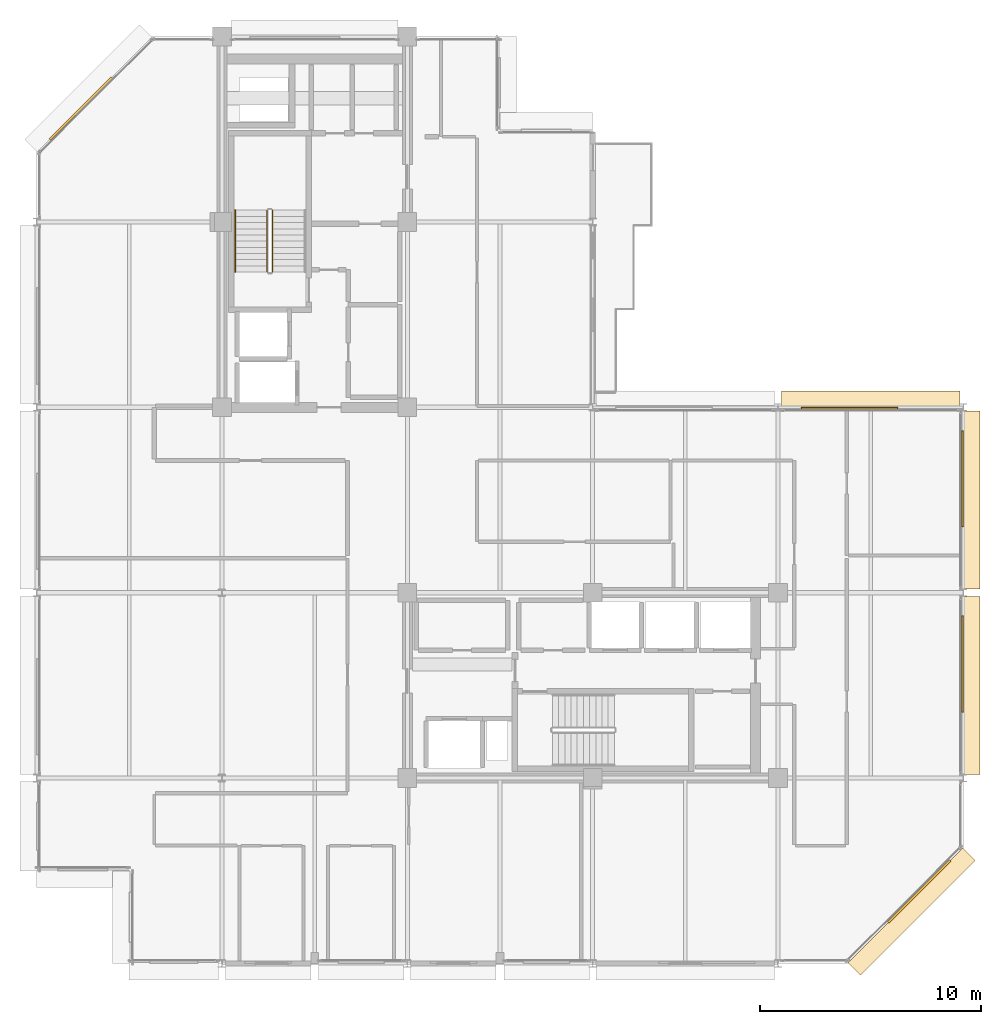
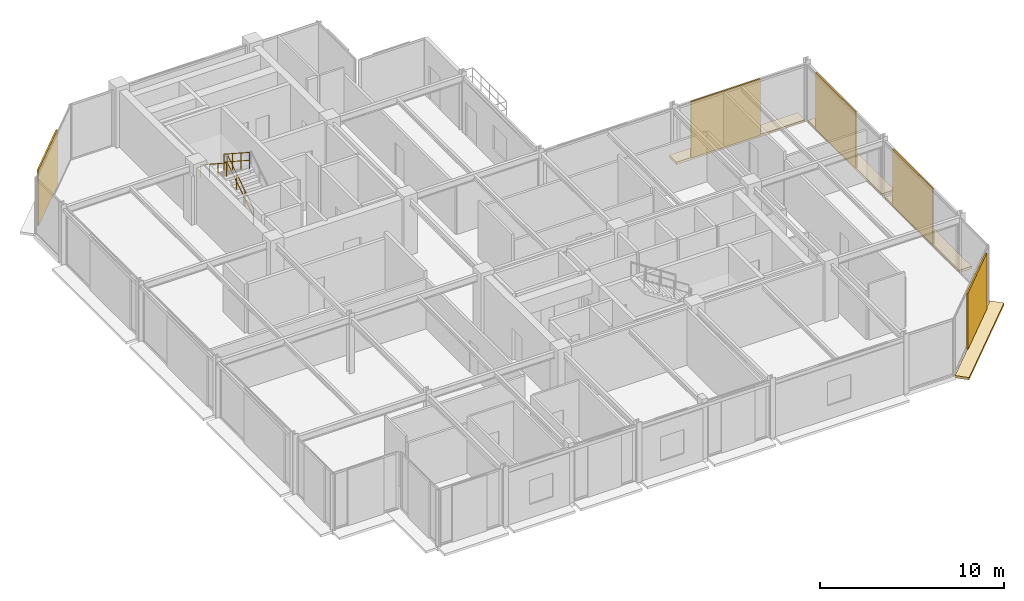
# One storey, part 26 of 27: 9 coverings, 3 railings.
"""IFC4 building model written with IfcOpenShell, lengths in metres."""

from ifc_helpers import new_model, si_unit, direction, frame, origin, origin_2d, place, context, subcontext, project, spatial, polyline, rectangle, circle, outline, extrude, material, layer, layer_set, type_object, element, save


model = new_model("IFC4")

# Units and contexts
model_context = context("Model", 3, precision=1e-05, world=origin(), true_north=direction((0.0, 1.0)))
body_context = subcontext(model_context, "Body", "Model", "MODEL_VIEW")
ifc_project = project(units=[si_unit("LENGTHUNIT", "METRE"), si_unit("AREAUNIT", "SQUARE_METRE"), si_unit("VOLUMEUNIT", "CUBIC_METRE"), si_unit("PLANEANGLEUNIT", "RADIAN"), si_unit("MASSUNIT", "GRAM", prefix="KILO")], contexts=[model_context])

# Site, building, storey
site_placement = place(None, origin())
site = spatial("IfcSite", under=ifc_project, at=site_placement, CompositionType="ELEMENT")
building_placement = place(site_placement, origin())
building = spatial("IfcBuilding", under=site, at=building_placement, Name="Nerrivon Quay Data Exchange", CompositionType="ELEMENT")
storey_placement = place(building_placement, frame((0.0, 0.0, 254.199951171875)))
storey = spatial("IfcBuildingStorey", under=building, at=storey_placement, Name="L60", CompositionType="ELEMENT", Elevation=254.199951171875)

# Coverings
ifc_material_1 = material(Name="Architectural terracotta ceramic", Category="masonry")
ifc_layer_1 = layer(ifc_material_1, 0.159912109375)
ifc_layer_set_1 = layer_set([ifc_layer_1], Name="Architectural terracotta ceramic")
covering_type_1 = type_object("IfcCoveringType", Name="COV-BLD-TERR", PredefinedType="CLADDING", material=ifc_layer_set_1)
covering_1_placement = place(storey_placement, frame((0.0, 0.0, -0.159912109375)))
element("IfcCovering", 1, at=covering_1_placement, inside=storey, type_object=covering_type_1, Name="L60 Horizontal Terracotta SOLAR SCREEN Blade", PredefinedType="CLADDING", context=body_context, shape_type="SweptSolid", body=[
    extrude(outline(polyline([(41.9716796875, 5.228271484375), (36.771728515625, 0.0283203125), (37.330322265625, -0.5302734375), (42.5302734375, 4.669677734375), (41.9716796875, 5.228271484375)])), origin(), (0.0, 0.0, 1.0), 0.159912109375),
])
covering_2_placement = place(storey_placement, frame((0.0, 0.0, -0.159912109375)))
element("IfcCovering", 2, at=covering_2_placement, inside=storey, type_object=covering_type_1, Name="L60 Horizontal Terracotta SOLAR SCREEN Blade", PredefinedType="CLADDING", context=body_context, shape_type="SweptSolid", body=[
    extrude(outline(polyline([(33.755615234375, 25.159912109375), (41.844482421875, 25.159912109375), (41.844482421875, 25.949951171875), (33.755615234375, 25.949951171875), (33.755615234375, 25.159912109375)])), origin(), (0.0, 0.0, 1.0), 0.159912109375),
])
covering_3_placement = place(storey_placement, frame((0.0, 0.0, -0.159912109375)))
element("IfcCovering", 3, at=covering_3_placement, inside=storey, type_object=covering_type_1, Name="L60 Horizontal Terracotta SOLAR SCREEN Blade", PredefinedType="CLADDING", context=body_context, shape_type="SweptSolid", body=[
    extrude(outline(polyline([(41.9599609375, 25.03662109375), (41.9599609375, 16.96337890625), (42.75, 16.96337890625), (42.75, 25.03662109375), (41.9599609375, 25.03662109375)])), origin(), (0.0, 0.0, 1.0), 0.159912109375),
])
covering_4_placement = place(storey_placement, frame((0.0, 0.0, -0.159912109375)))
element("IfcCovering", 4, at=covering_4_placement, inside=storey, type_object=covering_type_1, Name="L60 Horizontal Terracotta SOLAR SCREEN Blade", PredefinedType="CLADDING", context=body_context, shape_type="SweptSolid", body=[
    extrude(outline(polyline([(41.9599609375, 16.636474609375), (41.9599609375, 8.5634765625), (42.75, 8.5634765625), (42.75, 16.636474609375), (41.9599609375, 16.636474609375)])), origin(), (0.0, 0.0, 1.0), 0.159912109375),
])
ifc_layer_2 = layer(ifc_material_1, 0.090087890625)
ifc_layer_set_2 = layer_set([ifc_layer_2], Name="Architectural terracotta ceramic")
covering_type_2 = type_object("IfcCoveringType", Name="COV-SCR-TERR", PredefinedType="CLADDING", material=ifc_layer_set_2)
for number, where, z_axis, x_axis, name in (
    (5, (39.9921875, 3.255859375, 0.0), (0.0, 0.0, 1.0), (-0.707106781187, -0.707106781187, 0.0), "L60 Perforated Terracotta SOLAR SCREEN Cassette"),
    (6, (2.0078125, 38.744140625, 0.0), (0.0, 0.0, 1.0), (0.707106781187, 0.707106781187, 0.0), "L60 Perforated Terracotta SOLAR SCREEN Cassette"),
):
    element("IfcCovering", number, at=place(storey_placement, frame(where, z_axis=z_axis, x_axis=x_axis)), inside=storey, type_object=covering_type_2, Name=name, PredefinedType="CLADDING", context=body_context, shape_type="SweptSolid", body=[
        extrude(rectangle(XDim=3.970947265625, YDim=0.090087890625, at=origin_2d()), origin(), (0.0, 0.0, 1.0), 3.72509765625),
    ])
covering_5_placement = place(storey_placement, frame((36.829345703125, 25.155029296875, 0.0), z_axis=(0.0, 0.0, 1.0), x_axis=(1.0, 0.0, 0.0)))
element("IfcCovering", 7, at=covering_5_placement, inside=storey, type_object=covering_type_2, Name="L60 Perforated Terracotta SOLAR SCREEN Cassette", PredefinedType="CLADDING", context=body_context, shape_type="SweptSolid", body=[
    extrude(rectangle(XDim=4.367919921875, YDim=0.090087890625, at=origin_2d()), origin(), (0.0, 0.0, 1.0), 3.72509765625),
])
for number, where, z_axis, x_axis, name in (
    (8, (41.955078125, 21.96875, 0.0), (0.0, 0.0, 1.0), (0.0, -1.0, 0.0), "L60 Perforated Terracotta SOLAR SCREEN Cassette"),
    (9, (41.955078125, 13.56884765625, 0.0), (0.0, 0.0, 1.0), (0.0, -1.0, 0.0), "L60 Perforated Terracotta SOLAR SCREEN Cassette"),
):
    element("IfcCovering", number, at=place(storey_placement, frame(where, z_axis=z_axis, x_axis=x_axis)), inside=storey, type_object=covering_type_2, Name=name, PredefinedType="CLADDING", context=body_context, shape_type="SweptSolid", body=[
        extrude(rectangle(XDim=4.35888671875, YDim=0.090087890625, at=origin_2d()), origin(), (0.0, 0.0, 1.0), 3.72509765625),
    ])

# Railings
ifc_material_2 = material(Name="Steel Grade C350L0 (350 MPa)", Category="steel")
railing_type_1 = type_object("IfcRailingType", Name="RAIL-HAND-HR1", PredefinedType="HANDRAIL", material=ifc_material_2)
railing_1_placement = place(storey_placement, frame((9.0, 34.1298828125, 2.181884765625)))
element("IfcRailing", 10, at=railing_1_placement, inside=storey, type_object=railing_type_1, Name="L60 ST01 stair handrail 2", PredefinedType="HANDRAIL", context=body_context, shape_type="SweptSolid", body=[
    extrude(circle(Radius=0.02392578125, at=origin_2d()), frame((0.0, 0.0, 0.8759765625), z_axis=(0.0, -0.83868413941, 0.544618136222), x_axis=(1.0, 0.0, 0.0)), (0.0, 0.0, 1.0), 3.33837890625),
    extrude(circle(Radius=0.02099609375, at=origin_2d()), origin(), (0.0, 0.0, 1.0), 0.851806640625),
    extrude(circle(Radius=0.02099609375, at=origin_2d()), frame((0.0, -0.933349609375, 0.60595703125)), (0.0, 0.0, 1.0), 0.851806640625),
    extrude(circle(Radius=0.02099609375, at=origin_2d()), frame((0.0, -1.866455078125, 1.212158203125)), (0.0, 0.0, 1.0), 0.851806640625),
    extrude(circle(Radius=0.02099609375, at=origin_2d()), frame((0.0, -2.7998046875, 1.818115234375)), (0.0, 0.0, 1.0), 0.851806640625),
])
railing_type_2 = type_object("IfcRailingType", Name="RAIL-STAIR-GR1", PredefinedType="BALUSTRADE", material=ifc_material_2)
railing_2_placement = place(storey_placement, frame((10.699951171875, 31.330078125, 0.181884765625)))
element("IfcRailing", 11, at=railing_2_placement, inside=storey, type_object=railing_type_2, Name="L60 ST01 stair guard 1", PredefinedType="BALUSTRADE", context=body_context, shape_type="SweptSolid", body=[
    extrude(circle(Radius=0.02392578125, at=origin_2d()), frame((0.0, 0.0, 1.076171875), z_axis=(0.0, 0.83868413941, 0.544618136222), x_axis=(-1.0, 0.0, 0.0)), (0.0, 0.0, 1.0), 3.33837890625),
    extrude(circle(Radius=0.02392578125, at=origin_2d()), frame((0.0, 0.0, 0.550048828125), z_axis=(0.0, 0.83868413941, 0.544618136222), x_axis=(-1.0, 0.0, 0.0)), (0.0, 0.0, 1.0), 3.33837890625),
    extrude(circle(Radius=0.02099609375, at=origin_2d()), origin(), (0.0, 0.0, 1.0), 1.052001953125),
    extrude(circle(Radius=0.02099609375, at=origin_2d()), frame((0.0, 0.933349609375, 0.60595703125)), (0.0, 0.0, 1.0), 1.052001953125),
    extrude(circle(Radius=0.02099609375, at=origin_2d()), frame((0.0, 1.866455078125, 1.212158203125)), (0.0, 0.0, 1.0), 1.052001953125),
    extrude(circle(Radius=0.02099609375, at=origin_2d()), frame((0.0, 2.7998046875, 1.818115234375)), (0.0, 0.0, 1.0), 1.052001953125),
])
railing_3_placement = place(storey_placement, frame((10.449951171875, 34.1298828125, 2.181884765625)))
element("IfcRailing", 12, at=railing_3_placement, inside=storey, type_object=railing_type_2, Name="L60 ST01 stair guard 3", PredefinedType="BALUSTRADE", context=body_context, shape_type="SweptSolid", body=[
    extrude(circle(Radius=0.02392578125, at=origin_2d()), frame((0.0, 0.0, 1.076171875), z_axis=(0.0, -0.83868413941, 0.544618136222), x_axis=(1.0, 0.0, 0.0)), (0.0, 0.0, 1.0), 3.33837890625),
    extrude(circle(Radius=0.02392578125, at=origin_2d()), frame((0.0, 0.0, 0.550048828125), z_axis=(0.0, -0.83868413941, 0.544618136222), x_axis=(1.0, 0.0, 0.0)), (0.0, 0.0, 1.0), 3.33837890625),
    extrude(circle(Radius=0.02099609375, at=origin_2d()), origin(), (0.0, 0.0, 1.0), 1.052001953125),
    extrude(circle(Radius=0.02099609375, at=origin_2d()), frame((0.0, -0.933349609375, 0.60595703125)), (0.0, 0.0, 1.0), 1.052001953125),
    extrude(circle(Radius=0.02099609375, at=origin_2d()), frame((0.0, -1.866455078125, 1.212158203125)), (0.0, 0.0, 1.0), 1.052001953125),
    extrude(circle(Radius=0.02099609375, at=origin_2d()), frame((0.0, -2.7998046875, 1.818115234375)), (0.0, 0.0, 1.0), 1.052001953125),
])

save(model, "model.ifc")
